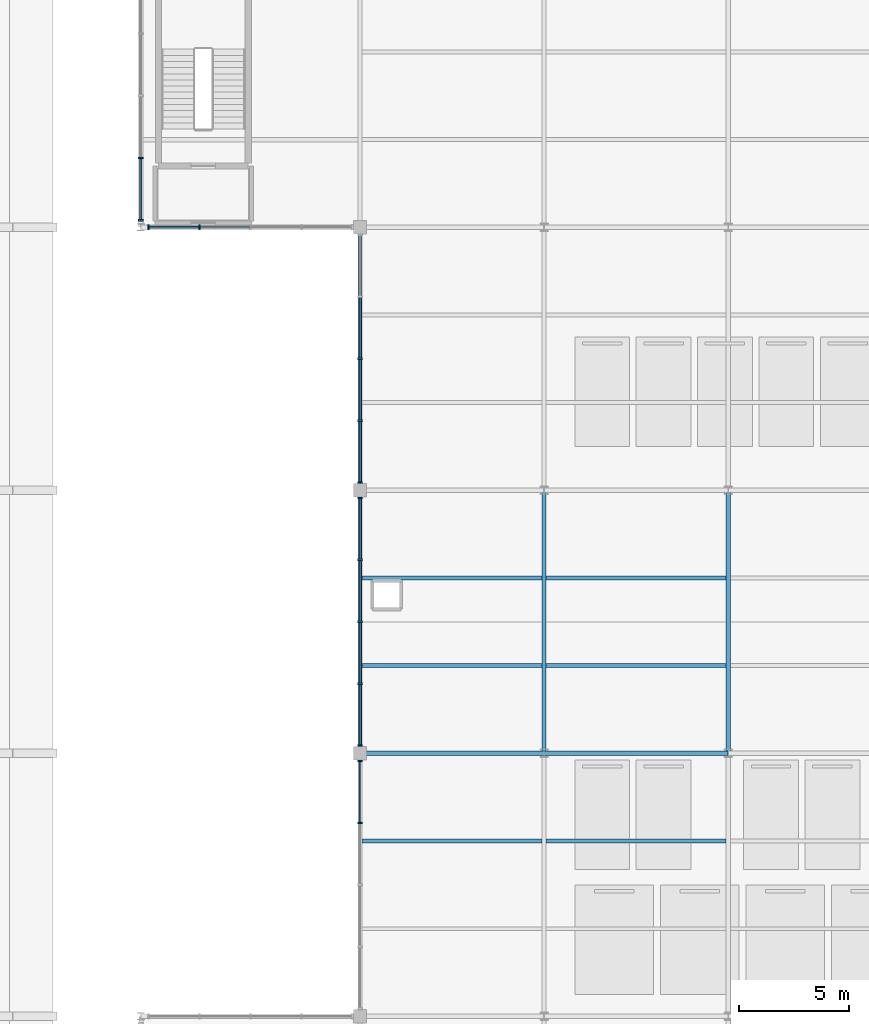
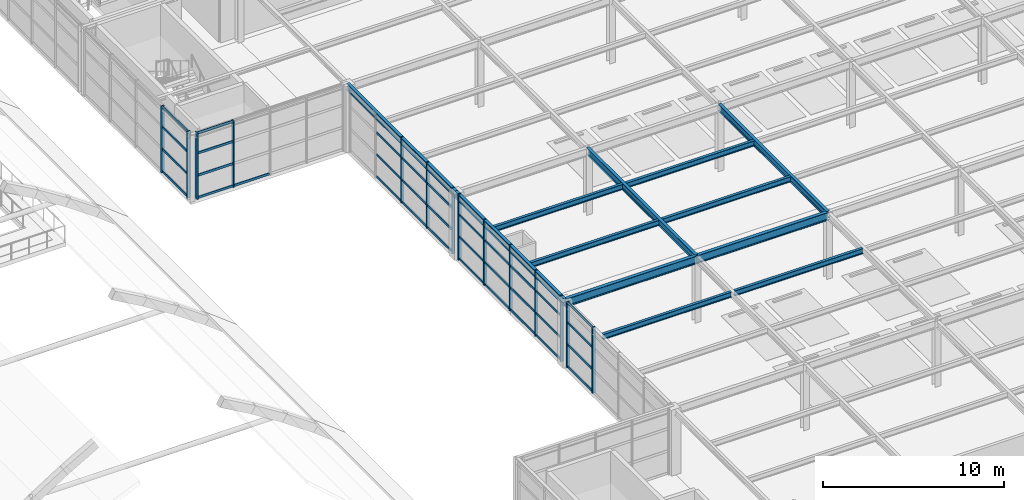
# One storey, part 24 of 82: 55 members, 12 beams, 5 elements without a shape of their own.
"""IFC4 building model written with IfcOpenShell, lengths in metres."""

from ifc_helpers import new_model, si_unit, direction, frame, origin, origin_2d, place, context, subcontext, project, spatial, rectangle, i_section, extrude, material, layer, layer_set, material_profile, profile_set, type_object, element, aggregate, save


model = new_model("IFC4")

# Units and contexts
model_context = context("Model", 3, precision=1e-05, world=origin(), true_north=direction((0.0, 1.0)))
body_context = subcontext(model_context, "Body", "Model", "MODEL_VIEW")
ifc_project = project(units=[si_unit("LENGTHUNIT", "METRE"), si_unit("AREAUNIT", "SQUARE_METRE"), si_unit("VOLUMEUNIT", "CUBIC_METRE"), si_unit("PLANEANGLEUNIT", "RADIAN"), si_unit("MASSUNIT", "GRAM", prefix="KILO")], contexts=[model_context])

# Site, building, storey
site_placement = place(None, origin())
site = spatial("IfcSite", under=ifc_project, at=site_placement, CompositionType="ELEMENT")
building_placement = place(site_placement, origin())
building = spatial("IfcBuilding", under=site, at=building_placement, Name="Sitalva Quay Ferry Terminal", CompositionType="ELEMENT")
storey_placement = place(building_placement, frame((0.0, 0.0, 5.39990234375)))
storey = spatial("IfcBuildingStorey", under=building, at=storey_placement, Name="L02", CompositionType="ELEMENT", Elevation=5.39990234375)

# Beams
ifc_material_1 = material(Name="Structural Steel S355JR", Category="steel")
ifc_material_profile_1 = material_profile(ifc_material_1, i_section(OverallWidth=0.19091796875, OverallDepth=0.4599609375, WebThickness=0.010009765625, FlangeThickness=0.01611328125, FilletRadius=0.013916015625, at=origin_2d()), Name="W460x82")
ifc_profile_set_1 = profile_set([ifc_material_profile_1], Name="Structural Steel S355JR")
beam_type_1 = type_object("IfcBeamType", Name="Beam_W460x82", PredefinedType="BEAM", material=ifc_profile_set_1)
for number, where, z_axis, x_axis, name in (
    (1, (84.0, 42.0, 4.22021484375), (0.0, 1.0, 0.0), (-1.0, 0.0, 0.0), "L02 Primary Y girder 0810"),
    (2, (84.0, 54.0, 4.22021484375), (0.0, 1.0, 0.0), (-1.0, 0.0, 0.0), "L02 Primary Y girder 0811"),
    (3, (92.39990234375, 42.0, 4.22021484375), (0.0, 1.0, 0.0), (-1.0, 0.0, 0.0), "L02 Primary Y girder 0814"),
    (4, (100.800048828125, 42.0, 4.22021484375), (0.0, 1.0, 0.0), (-1.0, 0.0, 0.0), "L02 Primary Y girder 0819"),
):
    element("IfcBeam", number, at=place(storey_placement, frame(where, z_axis=z_axis, x_axis=x_axis)), inside=storey, type_object=beam_type_1, Name=name, PredefinedType="BEAM", context=body_context, shape_type="SweptSolid", body=[
        extrude(i_section(OverallWidth=0.19091796875, OverallDepth=0.4599609375, WebThickness=0.010009765625, FlangeThickness=0.01611328125, FilletRadius=0.013916015625, at=origin_2d()), origin(), (0.0, 0.0, 1.0), 12.0),
    ])
ifc_material_2 = material(Name="Structural Steel S355JR", Category="steel")
ifc_material_profile_2 = material_profile(ifc_material_2, i_section(OverallWidth=0.2119140625, OverallDepth=0.5439453125, WebThickness=0.01318359375, FlangeThickness=0.021240234375, FilletRadius=0.014892578125, at=origin_2d()), Name="W530x123")
ifc_profile_set_2 = profile_set([ifc_material_profile_2], Name="Structural Steel S355JR")
beam_type_2 = type_object("IfcBeamType", Name="Girder_W530x123", PredefinedType="USERDEFINED", material=ifc_profile_set_2)
beam_1_placement = place(storey_placement, frame((84.0, 42.0, 4.177978515625), z_axis=(1.0, 0.0, 0.0), x_axis=(0.0, 1.0, 0.0)))
element("IfcBeam", 5, at=beam_1_placement, inside=storey, type_object=beam_type_2, Name="L02 Primary X girder 0769", ObjectType="GIRDER", PredefinedType="USERDEFINED", context=body_context, shape_type="SweptSolid", body=[
    extrude(i_section(OverallWidth=0.2119140625, OverallDepth=0.5439453125, WebThickness=0.01318359375, FlangeThickness=0.021240234375, FilletRadius=0.014892578125, at=origin_2d()), origin(), (0.0, 0.0, 1.0), 8.39990234375),
])
beam_2_placement = place(storey_placement, frame((92.39990234375, 42.0, 4.177978515625), z_axis=(1.0, 0.0, 0.0), x_axis=(0.0, 1.0, 0.0)))
element("IfcBeam", 6, at=beam_2_placement, inside=storey, type_object=beam_type_2, Name="L02 Primary X girder 0770", ObjectType="GIRDER", PredefinedType="USERDEFINED", context=body_context, shape_type="SweptSolid", body=[
    extrude(i_section(OverallWidth=0.2119140625, OverallDepth=0.5439453125, WebThickness=0.01318359375, FlangeThickness=0.021240234375, FilletRadius=0.014892578125, at=origin_2d()), origin(), (0.0, 0.0, 1.0), 8.400146484375),
])
ifc_material_3 = material(Name="Structural Steel S355JR", Category="steel")
ifc_material_profile_3 = material_profile(ifc_material_3, i_section(OverallWidth=0.172119140625, OverallDepth=0.35791015625, WebThickness=0.0078125, FlangeThickness=0.01318359375, FilletRadius=0.011962890625, at=origin_2d()), Name="W360x57")
ifc_profile_set_3 = profile_set([ifc_material_profile_3], Name="Structural Steel S355JR")
beam_type_3 = type_object("IfcBeamType", Name="Joist_W360x57", PredefinedType="JOIST", material=ifc_profile_set_3)
for number, where, z_axis, x_axis, name in (
    (7, (84.095458984375, 38.0, 4.27099609375), (1.0, 0.0, 0.0), (0.0, 1.0, 0.0), "L02 Secondary joist 0890"),
    (8, (92.49560546875, 38.0, 4.27099609375), (1.0, 0.0, 0.0), (0.0, 1.0, 0.0), "L02 Secondary joist 0891"),
    (9, (84.095458984375, 46.0, 4.27099609375), (1.0, 0.0, 0.0), (0.0, 1.0, 0.0), "L02 Secondary joist 0900"),
    (10, (92.49560546875, 46.0, 4.27099609375), (1.0, 0.0, 0.0), (0.0, 1.0, 0.0), "L02 Secondary joist 0901"),
    (11, (84.095458984375, 50.0, 4.27099609375), (1.0, 0.0, 0.0), (0.0, 1.0, 0.0), "L02 Secondary joist 0910"),
    (12, (92.49560546875, 50.0, 4.27099609375), (1.0, 0.0, 0.0), (0.0, 1.0, 0.0), "L02 Secondary joist 0911"),
):
    element("IfcBeam", number, at=place(storey_placement, frame(where, z_axis=z_axis, x_axis=x_axis)), inside=storey, type_object=beam_type_3, Name=name, PredefinedType="JOIST", context=body_context, shape_type="SweptSolid", body=[
        extrude(i_section(OverallWidth=0.172119140625, OverallDepth=0.35791015625, WebThickness=0.0078125, FlangeThickness=0.01318359375, FilletRadius=0.011962890625, at=origin_2d()), origin(), (0.0, 0.0, 1.0), 8.208984375),
    ])

# Curtain wall, members
ifc_material_4 = material(Name="Anodised Aluminium & Low-E Glazing", Category="aluminium")
ifc_layer_1 = layer(ifc_material_4, 0.159912109375)
ifc_layer_set_1 = layer_set([ifc_layer_1], Name="Anodised Aluminium & Low-E Glazing")
curtain_wall_type_1 = type_object("IfcCurtainWallType", Name="CW_Podium_Stick", PredefinedType="USERDEFINED", material=ifc_layer_set_1)
curtain_wall_1_placement = place(storey_placement, origin())
curtain_wall_1 = element("IfcCurtainWall", 13, at=curtain_wall_1_placement, inside=storey, type_object=curtain_wall_type_1, Name="L02 east monsoon court north glazing (CW-L02-079)", ObjectType="CURTAIN_WALL", PredefinedType="USERDEFINED")
ifc_material_5 = material(Name="Anodised Aluminium 6063-T6", Category="aluminium")
ifc_material_profile_4 = material_profile(ifc_material_5, rectangle(XDim=0.074951171875, YDim=0.219970703125, at=origin_2d()), Name="ALU75x220")
ifc_profile_set_4 = profile_set([ifc_material_profile_4], Name="Anodised Aluminium 6063-T6")
member_type_1 = type_object("IfcMemberType", Name="Mullion_Alu_75x160", PredefinedType="MULLION", material=ifc_profile_set_4)
member_1_placement = place(storey_placement, frame((74.35009765625, 66.0, 0.0), z_axis=(0.0, 0.0, 1.0), x_axis=(1.0, 0.0, 0.0)))
member_1 = element("IfcMember", 14, at=member_1_placement, type_object=member_type_1, Name="CW-L02-079-M0", PredefinedType="MULLION", context=body_context, shape_type="SweptSolid", body=[
    extrude(rectangle(XDim=0.074951171875, YDim=0.219970703125, at=origin_2d()), origin(), (0.0, 0.0, 1.0), 4.5),
])
member_2_placement = place(storey_placement, frame((76.675048828125, 66.0, 0.0), z_axis=(0.0, 0.0, 1.0), x_axis=(1.0, 0.0, 0.0)))
member_2 = element("IfcMember", 15, at=member_2_placement, type_object=member_type_1, Name="CW-L02-079-M1", PredefinedType="MULLION", context=body_context, shape_type="SweptSolid", body=[
    extrude(rectangle(XDim=0.074951171875, YDim=0.219970703125, at=origin_2d()), origin(), (0.0, 0.0, 1.0), 4.5),
])

curtain_wall_2_placement = place(storey_placement, origin())
curtain_wall_2 = element("IfcCurtainWall", 16, at=curtain_wall_2_placement, inside=storey, type_object=curtain_wall_type_1, Name="L02 spine west clerestory over V1 eaves (CW-L02-085)", ObjectType="CURTAIN_WALL", PredefinedType="USERDEFINED")
member_3_placement = place(storey_placement, frame((74.0, 66.320068359375, 0.0), z_axis=(0.0, 0.0, 1.0), x_axis=(0.0, 1.0, 0.0)))
member_3 = element("IfcMember", 17, at=member_3_placement, type_object=member_type_1, Name="CW-L02-085-M0", PredefinedType="MULLION", context=body_context, shape_type="SweptSolid", body=[
    extrude(rectangle(XDim=0.074951171875, YDim=0.219970703125, at=origin_2d()), origin(), (0.0, 0.0, 1.0), 4.5),
])
member_4_placement = place(storey_placement, frame((74.0, 69.159912109375, 0.0), z_axis=(0.0, 0.0, 1.0), x_axis=(0.0, 1.0, 0.0)))
member_4 = element("IfcMember", 18, at=member_4_placement, type_object=member_type_1, Name="CW-L02-085-M1", PredefinedType="MULLION", context=body_context, shape_type="SweptSolid", body=[
    extrude(rectangle(XDim=0.074951171875, YDim=0.219970703125, at=origin_2d()), origin(), (0.0, 0.0, 1.0), 4.5),
])

ifc_material_6 = material(Name="Anodised Aluminium & Low-E Glazing", Category="aluminium")
ifc_layer_2 = layer(ifc_material_6, 0.159912109375)
ifc_layer_set_2 = layer_set([ifc_layer_2], Name="Anodised Aluminium & Low-E Glazing")
curtain_wall_type_2 = type_object("IfcCurtainWallType", Name="CW_Coastal_Louvred", PredefinedType="USERDEFINED", material=ifc_layer_set_2)
curtain_wall_3_placement = place(storey_placement, origin())
curtain_wall_3 = element("IfcCurtainWall", 19, at=curtain_wall_3_placement, inside=storey, type_object=curtain_wall_type_2, Name="L02 east court louvred wall (CW-L02-080)", ObjectType="CURTAIN_WALL", PredefinedType="USERDEFINED")
ifc_material_7 = material(Name="Anodised Aluminium 6063-T6", Category="aluminium")
ifc_material_profile_5 = material_profile(ifc_material_7, rectangle(XDim=0.080078125, YDim=0.18505859375, at=origin_2d()), Name="ALU80x185")
ifc_profile_set_5 = profile_set([ifc_material_profile_5], Name="Anodised Aluminium 6063-T6")
member_type_2 = type_object("IfcMemberType", Name="Mullion_Alu_80x185", PredefinedType="MULLION", material=ifc_profile_set_5)
member_5_placement = place(storey_placement, frame((84.0, 38.824951171875, 0.0), z_axis=(0.0, 0.0, 1.0), x_axis=(0.0, 1.0, 0.0)))
member_5 = element("IfcMember", 20, at=member_5_placement, type_object=member_type_2, Name="CW-L02-080-M3", PredefinedType="MULLION", context=body_context, shape_type="SweptSolid", body=[
    extrude(rectangle(XDim=0.080078125, YDim=0.18505859375, at=origin_2d()), origin(), (0.0, 0.0, 1.0), 4.4501953125),
])
member_6_placement = place(storey_placement, frame((84.0, 41.64990234375, 0.0), z_axis=(0.0, 0.0, 1.0), x_axis=(0.0, 1.0, 0.0)))
member_6 = element("IfcMember", 21, at=member_6_placement, type_object=member_type_2, Name="CW-L02-080-M4", PredefinedType="MULLION", context=body_context, shape_type="SweptSolid", body=[
    extrude(rectangle(XDim=0.080078125, YDim=0.18505859375, at=origin_2d()), origin(), (0.0, 0.0, 1.0), 4.4501953125),
])

curtain_wall_4_placement = place(storey_placement, origin())
curtain_wall_4 = element("IfcCurtainWall", 22, at=curtain_wall_4_placement, inside=storey, type_object=curtain_wall_type_2, Name="L02 east court louvred wall (CW-L02-081)", ObjectType="CURTAIN_WALL", PredefinedType="USERDEFINED")
member_7_placement = place(storey_placement, frame((84.0, 42.35009765625, 0.0), z_axis=(0.0, 0.0, 1.0), x_axis=(0.0, 1.0, 0.0)))
member_7 = element("IfcMember", 23, at=member_7_placement, type_object=member_type_2, Name="CW-L02-081-M0", PredefinedType="MULLION", context=body_context, shape_type="SweptSolid", body=[
    extrude(rectangle(XDim=0.080078125, YDim=0.18505859375, at=origin_2d()), origin(), (0.0, 0.0, 1.0), 4.4501953125),
])
member_8_placement = place(storey_placement, frame((84.0, 45.175048828125, 0.0), z_axis=(0.0, 0.0, 1.0), x_axis=(0.0, 1.0, 0.0)))
member_8 = element("IfcMember", 24, at=member_8_placement, type_object=member_type_2, Name="CW-L02-081-M1", PredefinedType="MULLION", context=body_context, shape_type="SweptSolid", body=[
    extrude(rectangle(XDim=0.080078125, YDim=0.18505859375, at=origin_2d()), origin(), (0.0, 0.0, 1.0), 4.4501953125),
])
member_9_placement = place(storey_placement, frame((84.0, 48.0, 0.0), z_axis=(0.0, 0.0, 1.0), x_axis=(0.0, 1.0, 0.0)))
member_9 = element("IfcMember", 25, at=member_9_placement, type_object=member_type_2, Name="CW-L02-081-M2", PredefinedType="MULLION", context=body_context, shape_type="SweptSolid", body=[
    extrude(rectangle(XDim=0.080078125, YDim=0.18505859375, at=origin_2d()), origin(), (0.0, 0.0, 1.0), 4.4501953125),
])
member_10_placement = place(storey_placement, frame((84.0, 50.824951171875, 0.0), z_axis=(0.0, 0.0, 1.0), x_axis=(0.0, 1.0, 0.0)))
member_10 = element("IfcMember", 26, at=member_10_placement, type_object=member_type_2, Name="CW-L02-081-M3", PredefinedType="MULLION", context=body_context, shape_type="SweptSolid", body=[
    extrude(rectangle(XDim=0.080078125, YDim=0.18505859375, at=origin_2d()), origin(), (0.0, 0.0, 1.0), 4.4501953125),
])
member_11_placement = place(storey_placement, frame((84.0, 53.64990234375, 0.0), z_axis=(0.0, 0.0, 1.0), x_axis=(0.0, 1.0, 0.0)))
member_11 = element("IfcMember", 27, at=member_11_placement, type_object=member_type_2, Name="CW-L02-081-M4", PredefinedType="MULLION", context=body_context, shape_type="SweptSolid", body=[
    extrude(rectangle(XDim=0.080078125, YDim=0.18505859375, at=origin_2d()), origin(), (0.0, 0.0, 1.0), 4.4501953125),
])

curtain_wall_5_placement = place(storey_placement, origin())
curtain_wall_5 = element("IfcCurtainWall", 28, at=curtain_wall_5_placement, inside=storey, type_object=curtain_wall_type_2, Name="L02 east court louvred wall (CW-L02-082)", ObjectType="CURTAIN_WALL", PredefinedType="USERDEFINED")
member_12_placement = place(storey_placement, frame((84.0, 54.35009765625, 0.0), z_axis=(0.0, 0.0, 1.0), x_axis=(0.0, 1.0, 0.0)))
member_12 = element("IfcMember", 29, at=member_12_placement, type_object=member_type_2, Name="CW-L02-082-M0", PredefinedType="MULLION", context=body_context, shape_type="SweptSolid", body=[
    extrude(rectangle(XDim=0.080078125, YDim=0.18505859375, at=origin_2d()), origin(), (0.0, 0.0, 1.0), 4.4501953125),
])
member_13_placement = place(storey_placement, frame((84.0, 57.175048828125, 0.0), z_axis=(0.0, 0.0, 1.0), x_axis=(0.0, 1.0, 0.0)))
member_13 = element("IfcMember", 30, at=member_13_placement, type_object=member_type_2, Name="CW-L02-082-M1", PredefinedType="MULLION", context=body_context, shape_type="SweptSolid", body=[
    extrude(rectangle(XDim=0.080078125, YDim=0.18505859375, at=origin_2d()), origin(), (0.0, 0.0, 1.0), 4.4501953125),
])
member_14_placement = place(storey_placement, frame((84.0, 60.0, 0.0), z_axis=(0.0, 0.0, 1.0), x_axis=(0.0, 1.0, 0.0)))
member_14 = element("IfcMember", 31, at=member_14_placement, type_object=member_type_2, Name="CW-L02-082-M2", PredefinedType="MULLION", context=body_context, shape_type="SweptSolid", body=[
    extrude(rectangle(XDim=0.080078125, YDim=0.18505859375, at=origin_2d()), origin(), (0.0, 0.0, 1.0), 4.4501953125),
])

# Member
ifc_material_8 = material(Name="Anodised Aluminium 6063-T6", Category="aluminium")
ifc_material_profile_6 = material_profile(ifc_material_8, rectangle(XDim=0.074951171875, YDim=0.155029296875, at=origin_2d()), Name="ALU75x155")
ifc_profile_set_6 = profile_set([ifc_material_profile_6], Name="Anodised Aluminium 6063-T6")
member_type_3 = type_object("IfcMemberType", Name="Transom_Alu_70x135", PredefinedType="MULLION", material=ifc_profile_set_6)
member_15_placement = place(storey_placement, frame((74.387451171875, 66.0, 0.07763671875), z_axis=(1.0, 0.0, 0.0), x_axis=(0.0, 1.0, 0.0)))
member_15 = element("IfcMember", 32, at=member_15_placement, type_object=member_type_3, Name="CW-L02-079-T0-0", ObjectType="TRANSOM", PredefinedType="USERDEFINED", context=body_context, shape_type="SweptSolid", body=[
    extrude(rectangle(XDim=0.074951171875, YDim=0.155029296875, at=origin_2d()), origin(), (0.0, 0.0, 1.0), 2.25),
])

member_16_placement = place(storey_placement, frame((74.387451171875, 66.0, 1.57763671875), z_axis=(1.0, 0.0, 0.0), x_axis=(0.0, 1.0, 0.0)))
member_16 = element("IfcMember", 33, at=member_16_placement, type_object=member_type_3, Name="CW-L02-079-T0-1", ObjectType="TRANSOM", PredefinedType="USERDEFINED", context=body_context, shape_type="SweptSolid", body=[
    extrude(rectangle(XDim=0.074951171875, YDim=0.155029296875, at=origin_2d()), origin(), (0.0, 0.0, 1.0), 2.25),
])

member_17_placement = place(storey_placement, frame((74.387451171875, 66.0, 3.07763671875), z_axis=(1.0, 0.0, 0.0), x_axis=(0.0, 1.0, 0.0)))
member_17 = element("IfcMember", 34, at=member_17_placement, type_object=member_type_3, Name="CW-L02-079-T0-2", ObjectType="TRANSOM", PredefinedType="USERDEFINED", context=body_context, shape_type="SweptSolid", body=[
    extrude(rectangle(XDim=0.074951171875, YDim=0.155029296875, at=origin_2d()), origin(), (0.0, 0.0, 1.0), 2.25),
])

member_18_placement = place(storey_placement, frame((74.387451171875, 66.0, 4.422607421875), z_axis=(1.0, 0.0, 0.0), x_axis=(0.0, 1.0, 0.0)))
member_18 = element("IfcMember", 35, at=member_18_placement, type_object=member_type_3, Name="CW-L02-079-T0-3", ObjectType="TRANSOM", PredefinedType="USERDEFINED", context=body_context, shape_type="SweptSolid", body=[
    extrude(rectangle(XDim=0.074951171875, YDim=0.155029296875, at=origin_2d()), origin(), (0.0, 0.0, 1.0), 2.25),
])

member_19_placement = place(storey_placement, frame((76.71240234375, 66.0, 0.07763671875), z_axis=(1.0, 0.0, 0.0), x_axis=(0.0, 1.0, 0.0)))
member_19 = element("IfcMember", 36, at=member_19_placement, type_object=member_type_3, Name="CW-L02-079-T1-0", ObjectType="TRANSOM", PredefinedType="USERDEFINED", context=body_context, shape_type="SweptSolid", body=[
    extrude(rectangle(XDim=0.074951171875, YDim=0.155029296875, at=origin_2d()), origin(), (0.0, 0.0, 1.0), 2.25),
])

aggregate(curtain_wall_1, [member_1, member_2, member_15, member_16, member_17, member_18, member_19])

member_20_placement = place(storey_placement, frame((74.0, 66.357421875, 0.07763671875), z_axis=(0.0, 1.0, 0.0), x_axis=(-1.0, 0.0, 0.0)))
member_20 = element("IfcMember", 37, at=member_20_placement, type_object=member_type_3, Name="CW-L02-085-T0-0", ObjectType="TRANSOM", PredefinedType="USERDEFINED", context=body_context, shape_type="SweptSolid", body=[
    extrude(rectangle(XDim=0.074951171875, YDim=0.155029296875, at=origin_2d()), origin(), (0.0, 0.0, 1.0), 2.76513671875),
])

member_21_placement = place(storey_placement, frame((74.0, 66.357421875, 1.57763671875), z_axis=(0.0, 1.0, 0.0), x_axis=(-1.0, 0.0, 0.0)))
member_21 = element("IfcMember", 38, at=member_21_placement, type_object=member_type_3, Name="CW-L02-085-T0-1", ObjectType="TRANSOM", PredefinedType="USERDEFINED", context=body_context, shape_type="SweptSolid", body=[
    extrude(rectangle(XDim=0.074951171875, YDim=0.155029296875, at=origin_2d()), origin(), (0.0, 0.0, 1.0), 2.76513671875),
])

member_22_placement = place(storey_placement, frame((74.0, 66.357421875, 3.07763671875), z_axis=(0.0, 1.0, 0.0), x_axis=(-1.0, 0.0, 0.0)))
member_22 = element("IfcMember", 39, at=member_22_placement, type_object=member_type_3, Name="CW-L02-085-T0-2", ObjectType="TRANSOM", PredefinedType="USERDEFINED", context=body_context, shape_type="SweptSolid", body=[
    extrude(rectangle(XDim=0.074951171875, YDim=0.155029296875, at=origin_2d()), origin(), (0.0, 0.0, 1.0), 2.76513671875),
])

member_23_placement = place(storey_placement, frame((74.0, 66.357421875, 4.422607421875), z_axis=(0.0, 1.0, 0.0), x_axis=(-1.0, 0.0, 0.0)))
member_23 = element("IfcMember", 40, at=member_23_placement, type_object=member_type_3, Name="CW-L02-085-T0-3", ObjectType="TRANSOM", PredefinedType="USERDEFINED", context=body_context, shape_type="SweptSolid", body=[
    extrude(rectangle(XDim=0.074951171875, YDim=0.155029296875, at=origin_2d()), origin(), (0.0, 0.0, 1.0), 2.76513671875),
])

aggregate(curtain_wall_2, [member_3, member_4, member_20, member_21, member_22, member_23])

ifc_material_9 = material(Name="Anodised Aluminium 6063-T6", Category="aluminium")
ifc_material_profile_7 = material_profile(ifc_material_9, rectangle(XDim=0.074951171875, YDim=0.14990234375, at=origin_2d()), Name="ALU75x150")
ifc_profile_set_7 = profile_set([ifc_material_profile_7], Name="Anodised Aluminium 6063-T6")
member_type_4 = type_object("IfcMemberType", Name="Transom_Alu_75x140", PredefinedType="MULLION", material=ifc_profile_set_7)
member_24_placement = place(storey_placement, frame((84.0, 38.864990234375, 0.0751953125), z_axis=(0.0, 1.0, 0.0), x_axis=(-1.0, 0.0, 0.0)))
member_24 = element("IfcMember", 41, at=member_24_placement, type_object=member_type_4, Name="CW-L02-080-T3-0", ObjectType="TRANSOM", PredefinedType="USERDEFINED", context=body_context, shape_type="SweptSolid", body=[
    extrude(rectangle(XDim=0.074951171875, YDim=0.14990234375, at=origin_2d()), origin(), (0.0, 0.0, 1.0), 2.7451171875),
])

member_25_placement = place(storey_placement, frame((84.0, 38.864990234375, 1.558349609375), z_axis=(0.0, 1.0, 0.0), x_axis=(-1.0, 0.0, 0.0)))
member_25 = element("IfcMember", 42, at=member_25_placement, type_object=member_type_4, Name="CW-L02-080-T3-1", ObjectType="TRANSOM", PredefinedType="USERDEFINED", context=body_context, shape_type="SweptSolid", body=[
    extrude(rectangle(XDim=0.074951171875, YDim=0.14990234375, at=origin_2d()), origin(), (0.0, 0.0, 1.0), 2.7451171875),
])

member_26_placement = place(storey_placement, frame((84.0, 38.864990234375, 3.041748046875), z_axis=(0.0, 1.0, 0.0), x_axis=(-1.0, 0.0, 0.0)))
member_26 = element("IfcMember", 43, at=member_26_placement, type_object=member_type_4, Name="CW-L02-080-T3-2", ObjectType="TRANSOM", PredefinedType="USERDEFINED", context=body_context, shape_type="SweptSolid", body=[
    extrude(rectangle(XDim=0.074951171875, YDim=0.14990234375, at=origin_2d()), origin(), (0.0, 0.0, 1.0), 2.7451171875),
])

member_27_placement = place(storey_placement, frame((84.0, 38.864990234375, 4.375), z_axis=(0.0, 1.0, 0.0), x_axis=(-1.0, 0.0, 0.0)))
member_27 = element("IfcMember", 44, at=member_27_placement, type_object=member_type_4, Name="CW-L02-080-T3-3", ObjectType="TRANSOM", PredefinedType="USERDEFINED", context=body_context, shape_type="SweptSolid", body=[
    extrude(rectangle(XDim=0.074951171875, YDim=0.14990234375, at=origin_2d()), origin(), (0.0, 0.0, 1.0), 2.7451171875),
])

aggregate(curtain_wall_3, [member_5, member_6, member_24, member_25, member_26, member_27])

member_28_placement = place(storey_placement, frame((84.0, 42.389892578125, 0.0751953125), z_axis=(0.0, 1.0, 0.0), x_axis=(-1.0, 0.0, 0.0)))
member_28 = element("IfcMember", 45, at=member_28_placement, type_object=member_type_4, Name="CW-L02-081-T0-0", ObjectType="TRANSOM", PredefinedType="USERDEFINED", context=body_context, shape_type="SweptSolid", body=[
    extrude(rectangle(XDim=0.074951171875, YDim=0.14990234375, at=origin_2d()), origin(), (0.0, 0.0, 1.0), 2.7451171875),
])

member_29_placement = place(storey_placement, frame((84.0, 42.389892578125, 1.558349609375), z_axis=(0.0, 1.0, 0.0), x_axis=(-1.0, 0.0, 0.0)))
member_29 = element("IfcMember", 46, at=member_29_placement, type_object=member_type_4, Name="CW-L02-081-T0-1", ObjectType="TRANSOM", PredefinedType="USERDEFINED", context=body_context, shape_type="SweptSolid", body=[
    extrude(rectangle(XDim=0.074951171875, YDim=0.14990234375, at=origin_2d()), origin(), (0.0, 0.0, 1.0), 2.7451171875),
])

member_30_placement = place(storey_placement, frame((84.0, 42.389892578125, 3.041748046875), z_axis=(0.0, 1.0, 0.0), x_axis=(-1.0, 0.0, 0.0)))
member_30 = element("IfcMember", 47, at=member_30_placement, type_object=member_type_4, Name="CW-L02-081-T0-2", ObjectType="TRANSOM", PredefinedType="USERDEFINED", context=body_context, shape_type="SweptSolid", body=[
    extrude(rectangle(XDim=0.074951171875, YDim=0.14990234375, at=origin_2d()), origin(), (0.0, 0.0, 1.0), 2.7451171875),
])

member_31_placement = place(storey_placement, frame((84.0, 42.389892578125, 4.375), z_axis=(0.0, 1.0, 0.0), x_axis=(-1.0, 0.0, 0.0)))
member_31 = element("IfcMember", 48, at=member_31_placement, type_object=member_type_4, Name="CW-L02-081-T0-3", ObjectType="TRANSOM", PredefinedType="USERDEFINED", context=body_context, shape_type="SweptSolid", body=[
    extrude(rectangle(XDim=0.074951171875, YDim=0.14990234375, at=origin_2d()), origin(), (0.0, 0.0, 1.0), 2.7451171875),
])

member_32_placement = place(storey_placement, frame((84.0, 45.215087890625, 0.0751953125), z_axis=(0.0, 1.0, 0.0), x_axis=(-1.0, 0.0, 0.0)))
member_32 = element("IfcMember", 49, at=member_32_placement, type_object=member_type_4, Name="CW-L02-081-T1-0", ObjectType="TRANSOM", PredefinedType="USERDEFINED", context=body_context, shape_type="SweptSolid", body=[
    extrude(rectangle(XDim=0.074951171875, YDim=0.14990234375, at=origin_2d()), origin(), (0.0, 0.0, 1.0), 2.744873046875),
])

member_33_placement = place(storey_placement, frame((84.0, 45.215087890625, 1.558349609375), z_axis=(0.0, 1.0, 0.0), x_axis=(-1.0, 0.0, 0.0)))
member_33 = element("IfcMember", 50, at=member_33_placement, type_object=member_type_4, Name="CW-L02-081-T1-1", ObjectType="TRANSOM", PredefinedType="USERDEFINED", context=body_context, shape_type="SweptSolid", body=[
    extrude(rectangle(XDim=0.074951171875, YDim=0.14990234375, at=origin_2d()), origin(), (0.0, 0.0, 1.0), 2.744873046875),
])

member_34_placement = place(storey_placement, frame((84.0, 45.215087890625, 3.041748046875), z_axis=(0.0, 1.0, 0.0), x_axis=(-1.0, 0.0, 0.0)))
member_34 = element("IfcMember", 51, at=member_34_placement, type_object=member_type_4, Name="CW-L02-081-T1-2", ObjectType="TRANSOM", PredefinedType="USERDEFINED", context=body_context, shape_type="SweptSolid", body=[
    extrude(rectangle(XDim=0.074951171875, YDim=0.14990234375, at=origin_2d()), origin(), (0.0, 0.0, 1.0), 2.744873046875),
])

member_35_placement = place(storey_placement, frame((84.0, 45.215087890625, 4.375), z_axis=(0.0, 1.0, 0.0), x_axis=(-1.0, 0.0, 0.0)))
member_35 = element("IfcMember", 52, at=member_35_placement, type_object=member_type_4, Name="CW-L02-081-T1-3", ObjectType="TRANSOM", PredefinedType="USERDEFINED", context=body_context, shape_type="SweptSolid", body=[
    extrude(rectangle(XDim=0.074951171875, YDim=0.14990234375, at=origin_2d()), origin(), (0.0, 0.0, 1.0), 2.744873046875),
])

member_36_placement = place(storey_placement, frame((84.0, 48.0400390625, 0.0751953125), z_axis=(0.0, 1.0, 0.0), x_axis=(-1.0, 0.0, 0.0)))
member_36 = element("IfcMember", 53, at=member_36_placement, type_object=member_type_4, Name="CW-L02-081-T2-0", ObjectType="TRANSOM", PredefinedType="USERDEFINED", context=body_context, shape_type="SweptSolid", body=[
    extrude(rectangle(XDim=0.074951171875, YDim=0.14990234375, at=origin_2d()), origin(), (0.0, 0.0, 1.0), 2.744873046875),
])

member_37_placement = place(storey_placement, frame((84.0, 48.0400390625, 1.558349609375), z_axis=(0.0, 1.0, 0.0), x_axis=(-1.0, 0.0, 0.0)))
member_37 = element("IfcMember", 54, at=member_37_placement, type_object=member_type_4, Name="CW-L02-081-T2-1", ObjectType="TRANSOM", PredefinedType="USERDEFINED", context=body_context, shape_type="SweptSolid", body=[
    extrude(rectangle(XDim=0.074951171875, YDim=0.14990234375, at=origin_2d()), origin(), (0.0, 0.0, 1.0), 2.744873046875),
])

member_38_placement = place(storey_placement, frame((84.0, 48.0400390625, 3.041748046875), z_axis=(0.0, 1.0, 0.0), x_axis=(-1.0, 0.0, 0.0)))
member_38 = element("IfcMember", 55, at=member_38_placement, type_object=member_type_4, Name="CW-L02-081-T2-2", ObjectType="TRANSOM", PredefinedType="USERDEFINED", context=body_context, shape_type="SweptSolid", body=[
    extrude(rectangle(XDim=0.074951171875, YDim=0.14990234375, at=origin_2d()), origin(), (0.0, 0.0, 1.0), 2.744873046875),
])

member_39_placement = place(storey_placement, frame((84.0, 48.0400390625, 4.375), z_axis=(0.0, 1.0, 0.0), x_axis=(-1.0, 0.0, 0.0)))
member_39 = element("IfcMember", 56, at=member_39_placement, type_object=member_type_4, Name="CW-L02-081-T2-3", ObjectType="TRANSOM", PredefinedType="USERDEFINED", context=body_context, shape_type="SweptSolid", body=[
    extrude(rectangle(XDim=0.074951171875, YDim=0.14990234375, at=origin_2d()), origin(), (0.0, 0.0, 1.0), 2.744873046875),
])

member_40_placement = place(storey_placement, frame((84.0, 50.864990234375, 0.0751953125), z_axis=(0.0, 1.0, 0.0), x_axis=(-1.0, 0.0, 0.0)))
member_40 = element("IfcMember", 57, at=member_40_placement, type_object=member_type_4, Name="CW-L02-081-T3-0", ObjectType="TRANSOM", PredefinedType="USERDEFINED", context=body_context, shape_type="SweptSolid", body=[
    extrude(rectangle(XDim=0.074951171875, YDim=0.14990234375, at=origin_2d()), origin(), (0.0, 0.0, 1.0), 2.7451171875),
])

member_41_placement = place(storey_placement, frame((84.0, 50.864990234375, 1.558349609375), z_axis=(0.0, 1.0, 0.0), x_axis=(-1.0, 0.0, 0.0)))
member_41 = element("IfcMember", 58, at=member_41_placement, type_object=member_type_4, Name="CW-L02-081-T3-1", ObjectType="TRANSOM", PredefinedType="USERDEFINED", context=body_context, shape_type="SweptSolid", body=[
    extrude(rectangle(XDim=0.074951171875, YDim=0.14990234375, at=origin_2d()), origin(), (0.0, 0.0, 1.0), 2.7451171875),
])

member_42_placement = place(storey_placement, frame((84.0, 50.864990234375, 3.041748046875), z_axis=(0.0, 1.0, 0.0), x_axis=(-1.0, 0.0, 0.0)))
member_42 = element("IfcMember", 59, at=member_42_placement, type_object=member_type_4, Name="CW-L02-081-T3-2", ObjectType="TRANSOM", PredefinedType="USERDEFINED", context=body_context, shape_type="SweptSolid", body=[
    extrude(rectangle(XDim=0.074951171875, YDim=0.14990234375, at=origin_2d()), origin(), (0.0, 0.0, 1.0), 2.7451171875),
])

member_43_placement = place(storey_placement, frame((84.0, 50.864990234375, 4.375), z_axis=(0.0, 1.0, 0.0), x_axis=(-1.0, 0.0, 0.0)))
member_43 = element("IfcMember", 60, at=member_43_placement, type_object=member_type_4, Name="CW-L02-081-T3-3", ObjectType="TRANSOM", PredefinedType="USERDEFINED", context=body_context, shape_type="SweptSolid", body=[
    extrude(rectangle(XDim=0.074951171875, YDim=0.14990234375, at=origin_2d()), origin(), (0.0, 0.0, 1.0), 2.7451171875),
])

aggregate(curtain_wall_4, [member_7, member_8, member_9, member_10, member_11, member_28, member_29, member_30, member_31, member_32, member_33, member_34, member_35, member_36, member_37, member_38, member_39, member_40, member_41, member_42, member_43])

member_44_placement = place(storey_placement, frame((84.0, 54.389892578125, 0.0751953125), z_axis=(0.0, 1.0, 0.0), x_axis=(-1.0, 0.0, 0.0)))
member_44 = element("IfcMember", 61, at=member_44_placement, type_object=member_type_4, Name="CW-L02-082-T0-0", ObjectType="TRANSOM", PredefinedType="USERDEFINED", context=body_context, shape_type="SweptSolid", body=[
    extrude(rectangle(XDim=0.074951171875, YDim=0.14990234375, at=origin_2d()), origin(), (0.0, 0.0, 1.0), 2.7451171875),
])

member_45_placement = place(storey_placement, frame((84.0, 54.389892578125, 1.558349609375), z_axis=(0.0, 1.0, 0.0), x_axis=(-1.0, 0.0, 0.0)))
member_45 = element("IfcMember", 62, at=member_45_placement, type_object=member_type_4, Name="CW-L02-082-T0-1", ObjectType="TRANSOM", PredefinedType="USERDEFINED", context=body_context, shape_type="SweptSolid", body=[
    extrude(rectangle(XDim=0.074951171875, YDim=0.14990234375, at=origin_2d()), origin(), (0.0, 0.0, 1.0), 2.7451171875),
])

member_46_placement = place(storey_placement, frame((84.0, 54.389892578125, 3.041748046875), z_axis=(0.0, 1.0, 0.0), x_axis=(-1.0, 0.0, 0.0)))
member_46 = element("IfcMember", 63, at=member_46_placement, type_object=member_type_4, Name="CW-L02-082-T0-2", ObjectType="TRANSOM", PredefinedType="USERDEFINED", context=body_context, shape_type="SweptSolid", body=[
    extrude(rectangle(XDim=0.074951171875, YDim=0.14990234375, at=origin_2d()), origin(), (0.0, 0.0, 1.0), 2.7451171875),
])

member_47_placement = place(storey_placement, frame((84.0, 54.389892578125, 4.375), z_axis=(0.0, 1.0, 0.0), x_axis=(-1.0, 0.0, 0.0)))
member_47 = element("IfcMember", 64, at=member_47_placement, type_object=member_type_4, Name="CW-L02-082-T0-3", ObjectType="TRANSOM", PredefinedType="USERDEFINED", context=body_context, shape_type="SweptSolid", body=[
    extrude(rectangle(XDim=0.074951171875, YDim=0.14990234375, at=origin_2d()), origin(), (0.0, 0.0, 1.0), 2.7451171875),
])

member_48_placement = place(storey_placement, frame((84.0, 57.215087890625, 0.0751953125), z_axis=(0.0, 1.0, 0.0), x_axis=(-1.0, 0.0, 0.0)))
member_48 = element("IfcMember", 65, at=member_48_placement, type_object=member_type_4, Name="CW-L02-082-T1-0", ObjectType="TRANSOM", PredefinedType="USERDEFINED", context=body_context, shape_type="SweptSolid", body=[
    extrude(rectangle(XDim=0.074951171875, YDim=0.14990234375, at=origin_2d()), origin(), (0.0, 0.0, 1.0), 2.744873046875),
])

member_49_placement = place(storey_placement, frame((84.0, 57.215087890625, 1.558349609375), z_axis=(0.0, 1.0, 0.0), x_axis=(-1.0, 0.0, 0.0)))
member_49 = element("IfcMember", 66, at=member_49_placement, type_object=member_type_4, Name="CW-L02-082-T1-1", ObjectType="TRANSOM", PredefinedType="USERDEFINED", context=body_context, shape_type="SweptSolid", body=[
    extrude(rectangle(XDim=0.074951171875, YDim=0.14990234375, at=origin_2d()), origin(), (0.0, 0.0, 1.0), 2.744873046875),
])

member_50_placement = place(storey_placement, frame((84.0, 57.215087890625, 3.041748046875), z_axis=(0.0, 1.0, 0.0), x_axis=(-1.0, 0.0, 0.0)))
member_50 = element("IfcMember", 67, at=member_50_placement, type_object=member_type_4, Name="CW-L02-082-T1-2", ObjectType="TRANSOM", PredefinedType="USERDEFINED", context=body_context, shape_type="SweptSolid", body=[
    extrude(rectangle(XDim=0.074951171875, YDim=0.14990234375, at=origin_2d()), origin(), (0.0, 0.0, 1.0), 2.744873046875),
])

member_51_placement = place(storey_placement, frame((84.0, 57.215087890625, 4.375), z_axis=(0.0, 1.0, 0.0), x_axis=(-1.0, 0.0, 0.0)))
member_51 = element("IfcMember", 68, at=member_51_placement, type_object=member_type_4, Name="CW-L02-082-T1-3", ObjectType="TRANSOM", PredefinedType="USERDEFINED", context=body_context, shape_type="SweptSolid", body=[
    extrude(rectangle(XDim=0.074951171875, YDim=0.14990234375, at=origin_2d()), origin(), (0.0, 0.0, 1.0), 2.744873046875),
])

member_52_placement = place(storey_placement, frame((84.0, 60.0400390625, 0.0751953125), z_axis=(0.0, 1.0, 0.0), x_axis=(-1.0, 0.0, 0.0)))
member_52 = element("IfcMember", 69, at=member_52_placement, type_object=member_type_4, Name="CW-L02-082-T2-0", ObjectType="TRANSOM", PredefinedType="USERDEFINED", context=body_context, shape_type="SweptSolid", body=[
    extrude(rectangle(XDim=0.074951171875, YDim=0.14990234375, at=origin_2d()), origin(), (0.0, 0.0, 1.0), 2.744873046875),
])

member_53_placement = place(storey_placement, frame((84.0, 60.0400390625, 1.558349609375), z_axis=(0.0, 1.0, 0.0), x_axis=(-1.0, 0.0, 0.0)))
member_53 = element("IfcMember", 70, at=member_53_placement, type_object=member_type_4, Name="CW-L02-082-T2-1", ObjectType="TRANSOM", PredefinedType="USERDEFINED", context=body_context, shape_type="SweptSolid", body=[
    extrude(rectangle(XDim=0.074951171875, YDim=0.14990234375, at=origin_2d()), origin(), (0.0, 0.0, 1.0), 2.744873046875),
])

member_54_placement = place(storey_placement, frame((84.0, 60.0400390625, 3.041748046875), z_axis=(0.0, 1.0, 0.0), x_axis=(-1.0, 0.0, 0.0)))
member_54 = element("IfcMember", 71, at=member_54_placement, type_object=member_type_4, Name="CW-L02-082-T2-2", ObjectType="TRANSOM", PredefinedType="USERDEFINED", context=body_context, shape_type="SweptSolid", body=[
    extrude(rectangle(XDim=0.074951171875, YDim=0.14990234375, at=origin_2d()), origin(), (0.0, 0.0, 1.0), 2.744873046875),
])

member_55_placement = place(storey_placement, frame((84.0, 60.0400390625, 4.375), z_axis=(0.0, 1.0, 0.0), x_axis=(-1.0, 0.0, 0.0)))
member_55 = element("IfcMember", 72, at=member_55_placement, type_object=member_type_4, Name="CW-L02-082-T2-3", ObjectType="TRANSOM", PredefinedType="USERDEFINED", context=body_context, shape_type="SweptSolid", body=[
    extrude(rectangle(XDim=0.074951171875, YDim=0.14990234375, at=origin_2d()), origin(), (0.0, 0.0, 1.0), 2.744873046875),
])

aggregate(curtain_wall_5, [member_12, member_13, member_14, member_44, member_45, member_46, member_47, member_48, member_49, member_50, member_51, member_52, member_53, member_54, member_55])

save(model, "model.ifc")
